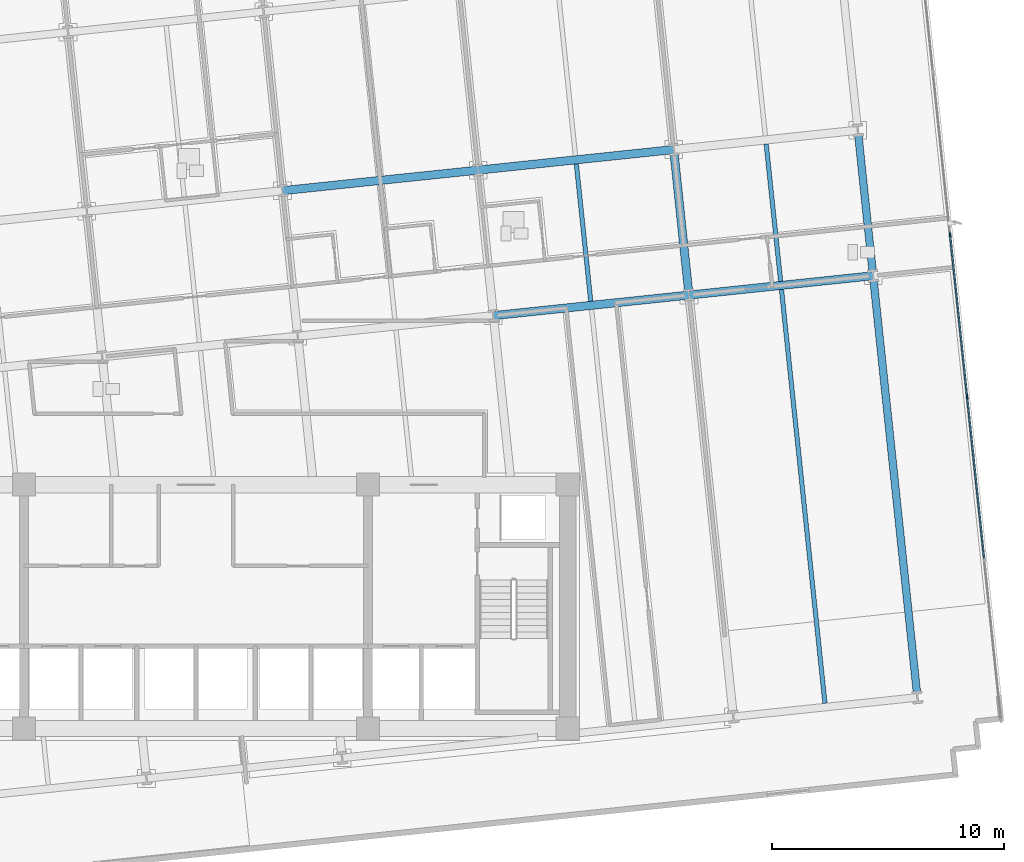
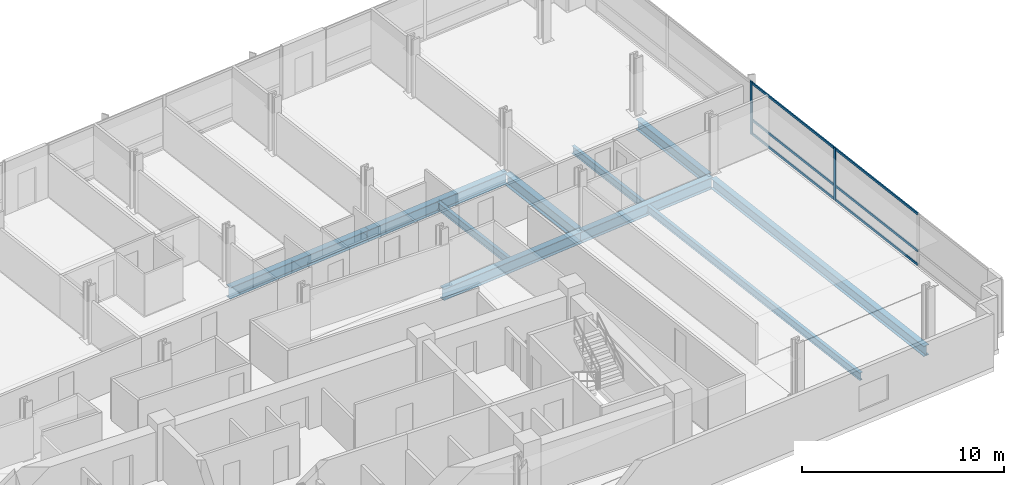
# One storey, part 5 of 17: 10 beams, 8 members, 1 element without a shape of its own.
"""IFC4 building model written with IfcOpenShell, lengths in metres."""

from ifc_helpers import new_model, si_unit, direction, frame, origin, origin_2d, place, context, subcontext, project, spatial, rectangle, i_section, extrude, material, material_profile, profile_set, type_object, element, aggregate, save


model = new_model("IFC4")

# Units and contexts
model_context = context("Model", 3, precision=1e-05, world=origin(), true_north=direction((0.0, 1.0)))
body_context = subcontext(model_context, "Body", "Model", "MODEL_VIEW")
ifc_project = project(units=[si_unit("LENGTHUNIT", "METRE"), si_unit("AREAUNIT", "SQUARE_METRE"), si_unit("VOLUMEUNIT", "CUBIC_METRE"), si_unit("PLANEANGLEUNIT", "RADIAN"), si_unit("MASSUNIT", "GRAM", prefix="KILO")], contexts=[model_context])

# Site, building, storey
site_placement = place(None, origin())
site = spatial("IfcSite", under=ifc_project, at=site_placement, CompositionType="ELEMENT")
building_placement = place(site_placement, origin())
building = spatial("IfcBuilding", under=site, at=building_placement, Name="Solmavex Isthmus Hotel", CompositionType="ELEMENT")
storey_placement = place(building_placement, frame((0.0, 0.0, 93.89990234375)))
storey = spatial("IfcBuildingStorey", under=building, at=storey_placement, Name="L25", CompositionType="ELEMENT", Elevation=93.89990234375)

# Beams
ifc_material_1 = material(Name="Steel ASTM A992 Grade 50", Category="steel")
ifc_material_profile_1 = material_profile(ifc_material_1, i_section(OverallWidth=0.354736328125, OverallDepth=0.695556640625, WebThickness=0.015380859375, FlangeThickness=0.02490234375, FilletRadius=0.017822265625, at=origin_2d()), Name="W27X146")
ifc_profile_set_1 = profile_set([ifc_material_profile_1], Name="Steel ASTM A992 Grade 50")
beam_type_1 = type_object("IfcBeamType", Name="BM-BG-W27X146", PredefinedType="BEAM", material=ifc_profile_set_1)
beam_1_placement = place(storey_placement, frame((12.800048828125, 4.7734375, -0.607666015625), z_axis=(0.994521085209, 0.104536171134, 0.0), x_axis=(-0.104536171134, 0.994521085209, 0.0)))
element("IfcBeam", 1, at=beam_1_placement, inside=storey, type_object=beam_type_1, Name="Floor Girder L25-UG11", PredefinedType="BEAM", context=body_context, shape_type="SweptSolid", body=[
    extrude(i_section(OverallWidth=0.354736328125, OverallDepth=0.695556640625, WebThickness=0.015380859375, FlangeThickness=0.02490234375, FilletRadius=0.017822265625, at=origin_2d()), origin(), (0.0, 0.0, 1.0), 8.466064453125),
])
beam_2_placement = place(storey_placement, frame((21.2197265625, 5.658447265625, -0.607666015625), z_axis=(0.994523402738, 0.104514120609, 0.0), x_axis=(-0.104514120609, 0.994523402738, 0.0)))
element("IfcBeam", 2, at=beam_2_placement, inside=storey, type_object=beam_type_1, Name="Floor Girder L25-UG12", PredefinedType="BEAM", context=body_context, shape_type="SweptSolid", body=[
    extrude(i_section(OverallWidth=0.354736328125, OverallDepth=0.695556640625, WebThickness=0.015380859375, FlangeThickness=0.02490234375, FilletRadius=0.017822265625, at=origin_2d()), origin(), (0.0, 0.0, 1.0), 7.968017578125),
])
for number, where, z_axis, x_axis, name in (
    (3, (3.72216796875, 10.152099609375, -0.607666015625), (0.994524082861, 0.104507648572, 0.0), (-0.104507648572, 0.994524082861, 0.0), "Floor Girder L25-UG16"),
    (4, (12.141845703125, 11.036865234375, -0.607666015625), (0.994521085209, 0.104536171134, 0.0), (-0.104536171134, 0.994521085209, 0.0), "Floor Girder L25-UG17"),
):
    element("IfcBeam", number, at=place(storey_placement, frame(where, z_axis=z_axis, x_axis=x_axis)), inside=storey, type_object=beam_type_1, Name=name, PredefinedType="BEAM", context=body_context, shape_type="SweptSolid", body=[
        extrude(i_section(OverallWidth=0.354736328125, OverallDepth=0.695556640625, WebThickness=0.015380859375, FlangeThickness=0.02490234375, FilletRadius=0.017822265625, at=origin_2d()), origin(), (0.0, 0.0, 1.0), 8.466064453125),
    ])
beam_3_placement = place(storey_placement, frame((21.201171875, 5.834716796875, -0.607666015625), z_axis=(-0.104505160346, 0.994524344328, 0.0), x_axis=(-0.994524344328, -0.104505160346, 0.0)))
element("IfcBeam", 5, at=beam_3_placement, inside=storey, type_object=beam_type_1, Name="Floor Beam L25-VG44", PredefinedType="BEAM", context=body_context, shape_type="SweptSolid", body=[
    extrude(i_section(OverallWidth=0.354736328125, OverallDepth=0.695556640625, WebThickness=0.015380859375, FlangeThickness=0.02490234375, FilletRadius=0.017822265625, at=origin_2d()), origin(), (0.0, 0.0, 1.0), 5.943115234375),
])
ifc_material_profile_2 = material_profile(ifc_material_1, i_section(OverallWidth=0.1904296875, OverallDepth=0.456787109375, WebThickness=0.009033203125, FlangeThickness=0.014404296875, FilletRadius=0.0126953125, at=origin_2d()), Name="W18X50")
ifc_profile_set_2 = profile_set([ifc_material_profile_2], Name="Steel ASTM A992 Grade 50")
beam_type_2 = type_object("IfcBeamType", Name="BM-BJ-W18X50", PredefinedType="JOIST", material=ifc_profile_set_2)
beam_4_placement = place(storey_placement, frame((16.991455078125, 5.392333984375, -0.48828125), z_axis=(-0.104545790518, 0.994520074048, 0.0), x_axis=(-0.994520074048, -0.104545790518, 0.0)))
element("IfcBeam", 6, at=beam_4_placement, inside=storey, type_object=beam_type_2, Name="Secondary Floor Joist L25-J17", PredefinedType="JOIST", context=body_context, shape_type="SweptSolid", body=[
    extrude(i_section(OverallWidth=0.1904296875, OverallDepth=0.456787109375, WebThickness=0.009033203125, FlangeThickness=0.014404296875, FilletRadius=0.0126953125, at=origin_2d()), origin(), (0.0, 0.0, 1.0), 5.943115234375),
])
beam_5_placement = place(storey_placement, frame((27.072509765625, -11.912841796875, -0.48828125), z_axis=(-0.104530088192, 0.99452172458, 0.0), x_axis=(-0.99452172458, -0.104530088192, 0.0)))
element("IfcBeam", 7, at=beam_5_placement, inside=storey, type_object=beam_type_2, Name="Secondary Floor Joist L25-J19", PredefinedType="JOIST", context=body_context, shape_type="SweptSolid", body=[
    extrude(i_section(OverallWidth=0.1904296875, OverallDepth=0.456787109375, WebThickness=0.009033203125, FlangeThickness=0.014404296875, FilletRadius=0.0126953125, at=origin_2d()), origin(), (0.0, 0.0, 1.0), 17.909423828125),
])
beam_6_placement = place(storey_placement, frame((25.163330078125, 6.251220703125, -0.48828125), z_axis=(-0.104505160346, 0.994524344328, 0.0), x_axis=(-0.994524344328, -0.104505160346, 0.0)))
element("IfcBeam", 8, at=beam_6_placement, inside=storey, type_object=beam_type_2, Name="Secondary Floor Joist L25-J20", PredefinedType="JOIST", context=body_context, shape_type="SweptSolid", body=[
    extrude(i_section(OverallWidth=0.1904296875, OverallDepth=0.456787109375, WebThickness=0.009033203125, FlangeThickness=0.014404296875, FilletRadius=0.0126953125, at=origin_2d()), origin(), (0.0, 0.0, 1.0), 5.943115234375),
])
ifc_material_profile_3 = material_profile(ifc_material_1, i_section(OverallWidth=0.326416015625, OverallDepth=0.621826171875, WebThickness=0.015380859375, FlangeThickness=0.0244140625, FilletRadius=0.01513671875, at=origin_2d()), Name="W24X131")
ifc_profile_set_3 = profile_set([ifc_material_profile_3], Name="Steel ASTM A992 Grade 50")
beam_type_3 = type_object("IfcBeamType", Name="BM-SP-W24X131", PredefinedType="SPANDREL", material=ifc_profile_set_3)
beam_7_placement = place(storey_placement, frame((31.03466796875, -11.496337890625, -0.57080078125), z_axis=(-0.104530088192, 0.99452172458, 0.0), x_axis=(-0.99452172458, -0.104530088192, 0.0)))
element("IfcBeam", 9, at=beam_7_placement, inside=storey, type_object=beam_type_3, Name="Floor Beam L25-VG46", PredefinedType="SPANDREL", context=body_context, shape_type="SweptSolid", body=[
    extrude(i_section(OverallWidth=0.326416015625, OverallDepth=0.621826171875, WebThickness=0.015380859375, FlangeThickness=0.0244140625, FilletRadius=0.01513671875, at=origin_2d()), origin(), (0.0, 0.0, 1.0), 17.909423828125),
])
beam_8_placement = place(storey_placement, frame((29.12548828125, 6.667724609375, -0.57080078125), z_axis=(-0.104505160346, 0.994524344328, 0.0), x_axis=(-0.994524344328, -0.104505160346, 0.0)))
element("IfcBeam", 10, at=beam_8_placement, inside=storey, type_object=beam_type_3, Name="Floor Beam L25-VG47", PredefinedType="SPANDREL", context=body_context, shape_type="SweptSolid", body=[
    extrude(i_section(OverallWidth=0.326416015625, OverallDepth=0.621826171875, WebThickness=0.015380859375, FlangeThickness=0.0244140625, FilletRadius=0.01513671875, at=origin_2d()), origin(), (0.0, 0.0, 1.0), 5.943115234375),
])

# Curtain wall, members
ifc_material_2 = material(Name="Aluminium alloy 6063-T6", Category="aluminium")
curtain_wall_type = type_object("IfcCurtainWallType", Name="CW-SYS-03", PredefinedType="NOTDEFINED", material=ifc_material_2)
curtain_wall_placement = place(storey_placement, origin())
curtain_wall = element("IfcCurtainWall", 11, at=curtain_wall_placement, inside=storey, type_object=curtain_wall_type, Name="Stick Curtain Wall CWL-L25-E1", PredefinedType="NOTDEFINED")
ifc_material_profile_4 = material_profile(ifc_material_2, rectangle(XDim=0.070068359375, YDim=0.179931640625, at=origin_2d()), Name="CWM-70X180")
ifc_profile_set_4 = profile_set([ifc_material_profile_4], Name="Aluminium alloy 6063-T6")
member_type_1 = type_object("IfcMemberType", Name="CW-SYS-03-MUL", PredefinedType="MULLION", material=ifc_profile_set_4)
member_1_placement = place(storey_placement, frame((33.19140625, 1.275634765625, 0.0), z_axis=(0.0, 0.0, 1.0), x_axis=(-0.994521893044, -0.104528485381, 0.0)))
member_1 = element("IfcMember", 12, at=member_1_placement, type_object=member_type_1, Name="CW-03 mullion 3", PredefinedType="MULLION", context=body_context, shape_type="SweptSolid", body=[
    extrude(rectangle(XDim=0.070068359375, YDim=0.179931640625, at=origin_2d()), origin(), (0.0, 0.0, 1.0), 3.190185546875),
])
member_2_placement = place(storey_placement, frame((32.45751953125, 8.25732421875, 0.0), z_axis=(0.0, 0.0, 1.0), x_axis=(-0.994521893044, -0.104528485381, 0.0)))
member_2 = element("IfcMember", 13, at=member_2_placement, type_object=member_type_1, Name="CW-03 mullion 4", PredefinedType="MULLION", context=body_context, shape_type="SweptSolid", body=[
    extrude(rectangle(XDim=0.070068359375, YDim=0.179931640625, at=origin_2d()), origin(), (0.0, 0.0, 1.0), 3.190185546875),
])
ifc_material_profile_5 = material_profile(ifc_material_2, rectangle(XDim=0.070068359375, YDim=0.139892578125, at=origin_2d()), Name="CWT-70X140")
ifc_profile_set_5 = profile_set([ifc_material_profile_5], Name="Aluminium alloy 6063-T6")
member_type_2 = type_object("IfcMemberType", Name="CW-SYS-03-TRN", PredefinedType="USERDEFINED", material=ifc_profile_set_5)
member_3_placement = place(storey_placement, frame((33.921630859375, -5.6708984375, 0.070068359375), z_axis=(-0.104542152467, 0.99452045648, 0.0), x_axis=(-0.99452045648, -0.104542152467, 0.0)))
member_3 = element("IfcMember", 14, at=member_3_placement, type_object=member_type_2, Name="CW-03 transom 2.1", ObjectType="TRANSOM", PredefinedType="USERDEFINED", context=body_context, shape_type="SweptSolid", body=[
    extrude(rectangle(XDim=0.070068359375, YDim=0.139892578125, at=origin_2d()), origin(), (0.0, 0.0, 1.0), 6.949951171875),
])
member_4_placement = place(storey_placement, frame((33.921630859375, -5.6708984375, 0.900146484375), z_axis=(-0.104542152467, 0.99452045648, 0.0), x_axis=(-0.99452045648, -0.104542152467, 0.0)))
member_4 = element("IfcMember", 15, at=member_4_placement, type_object=member_type_2, Name="CW-03 transom 2.2", ObjectType="TRANSOM", PredefinedType="USERDEFINED", context=body_context, shape_type="SweptSolid", body=[
    extrude(rectangle(XDim=0.070068359375, YDim=0.139892578125, at=origin_2d()), origin(), (0.0, 0.0, 1.0), 6.949951171875),
])
member_5_placement = place(storey_placement, frame((33.921630859375, -5.6708984375, 3.1201171875), z_axis=(-0.104542152467, 0.99452045648, 0.0), x_axis=(-0.99452045648, -0.104542152467, 0.0)))
member_5 = element("IfcMember", 16, at=member_5_placement, type_object=member_type_2, Name="CW-03 transom 2.3", ObjectType="TRANSOM", PredefinedType="USERDEFINED", context=body_context, shape_type="SweptSolid", body=[
    extrude(rectangle(XDim=0.070068359375, YDim=0.139892578125, at=origin_2d()), origin(), (0.0, 0.0, 1.0), 6.949951171875),
])
member_6_placement = place(storey_placement, frame((33.187744140625, 1.310546875, 0.070068359375), z_axis=(-0.104542152467, 0.99452045648, 0.0), x_axis=(-0.99452045648, -0.104542152467, 0.0)))
member_6 = element("IfcMember", 17, at=member_6_placement, type_object=member_type_2, Name="CW-03 transom 3.1", ObjectType="TRANSOM", PredefinedType="USERDEFINED", context=body_context, shape_type="SweptSolid", body=[
    extrude(rectangle(XDim=0.070068359375, YDim=0.139892578125, at=origin_2d()), origin(), (0.0, 0.0, 1.0), 6.949951171875),
])
member_7_placement = place(storey_placement, frame((33.187744140625, 1.310546875, 0.900146484375), z_axis=(-0.104542152467, 0.99452045648, 0.0), x_axis=(-0.99452045648, -0.104542152467, 0.0)))
member_7 = element("IfcMember", 18, at=member_7_placement, type_object=member_type_2, Name="CW-03 transom 3.2", ObjectType="TRANSOM", PredefinedType="USERDEFINED", context=body_context, shape_type="SweptSolid", body=[
    extrude(rectangle(XDim=0.070068359375, YDim=0.139892578125, at=origin_2d()), origin(), (0.0, 0.0, 1.0), 6.949951171875),
])
member_8_placement = place(storey_placement, frame((33.187744140625, 1.310546875, 3.1201171875), z_axis=(-0.104542152467, 0.99452045648, 0.0), x_axis=(-0.99452045648, -0.104542152467, 0.0)))
member_8 = element("IfcMember", 19, at=member_8_placement, type_object=member_type_2, Name="CW-03 transom 3.3", ObjectType="TRANSOM", PredefinedType="USERDEFINED", context=body_context, shape_type="SweptSolid", body=[
    extrude(rectangle(XDim=0.070068359375, YDim=0.139892578125, at=origin_2d()), origin(), (0.0, 0.0, 1.0), 6.949951171875),
])
aggregate(curtain_wall, [member_1, member_2, member_3, member_4, member_5, member_6, member_7, member_8])

save(model, "model.ifc")
